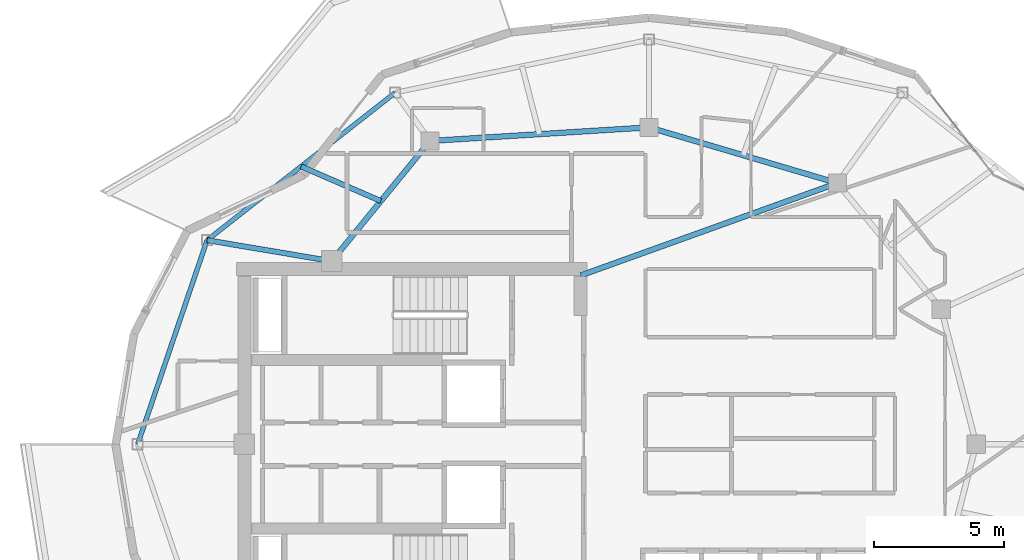
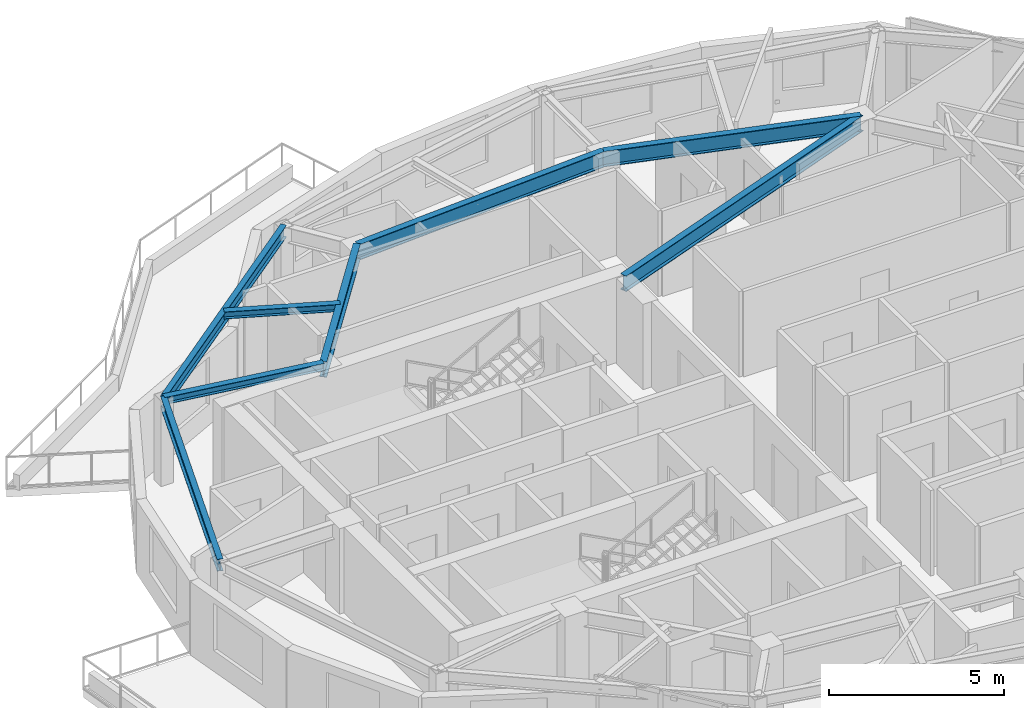
# One storey, part 3 of 15: 8 beams.
"""IFC4 building model written with IfcOpenShell, lengths in metres."""

from ifc_helpers import new_model, si_unit, direction, frame, origin, origin_2d, place, context, subcontext, project, spatial, i_section, extrude, material, material_profile, profile_set, type_object, element, save


model = new_model("IFC4")

# Units and contexts
model_context = context("Model", 3, precision=1e-05, world=origin(), true_north=direction((0.0, 1.0)))
body_context = subcontext(model_context, "Body", "Model", "MODEL_VIEW")
ifc_project = project(units=[si_unit("LENGTHUNIT", "METRE"), si_unit("AREAUNIT", "SQUARE_METRE"), si_unit("VOLUMEUNIT", "CUBIC_METRE"), si_unit("PLANEANGLEUNIT", "RADIAN"), si_unit("MASSUNIT", "GRAM", prefix="KILO")], contexts=[model_context])

# Site, building, storey
site_placement = place(None, origin())
site = spatial("IfcSite", under=ifc_project, at=site_placement, CompositionType="ELEMENT")
building_placement = place(site_placement, origin())
building = spatial("IfcBuilding", under=site, at=building_placement, Name="Kolvaren Gate Tower and Convention Centre", CompositionType="ELEMENT")
storey_placement = place(building_placement, frame((0.0, 0.0, 272.300048828125)))
storey = spatial("IfcBuildingStorey", under=building, at=storey_placement, Name="L74", CompositionType="ELEMENT", Elevation=272.300048828125)

# Beams
ifc_material = material(Name="Structural steel ASTM A992 Grade 345 MPa", Category="steel")
ifc_material_profile_1 = material_profile(ifc_material, i_section(OverallWidth=0.2119140625, OverallDepth=0.5439453125, WebThickness=0.01318359375, FlangeThickness=0.021240234375, at=origin_2d()), Name="W530X123")
ifc_profile_set_1 = profile_set([ifc_material_profile_1], Name="Structural steel ASTM A992 Grade 345 MPa")
beam_type_1 = type_object("IfcBeamType", Name="STR-BM-W530X123", PredefinedType="BEAM", material=ifc_profile_set_1)
beam_1_placement = place(storey_placement, frame((37.381591796875, 37.054931640625, 2.7080078125), z_axis=(-0.958980837827, 0.283470902706, 0.0), x_axis=(-0.283470902706, -0.958980837827, 0.0)))
element("IfcBeam", 1, at=beam_1_placement, inside=storey, type_object=beam_type_1, Name="Tower L74 Primary Ring Girder G-03", PredefinedType="BEAM", context=body_context, shape_type="SweptSolid", body=[
    extrude(i_section(OverallWidth=0.2119140625, OverallDepth=0.5439453125, WebThickness=0.01318359375, FlangeThickness=0.021240234375, at=origin_2d()), origin(), (0.0, 0.0, 1.0), 7.56689453125),
])
beam_2_placement = place(storey_placement, frame((30.125, 39.199951171875, 2.7080078125), z_axis=(-0.998078258568, -0.06196603726, 0.0), x_axis=(0.06196603726, -0.998078258568, 0.0)))
element("IfcBeam", 2, at=beam_2_placement, inside=storey, type_object=beam_type_1, Name="Tower L74 Primary Ring Girder G-04", PredefinedType="BEAM", context=body_context, shape_type="SweptSolid", body=[
    extrude(i_section(OverallWidth=0.2119140625, OverallDepth=0.5439453125, WebThickness=0.01318359375, FlangeThickness=0.021240234375, at=origin_2d()), origin(), (0.0, 0.0, 1.0), 8.443115234375),
])
beam_3_placement = place(storey_placement, frame((21.697998046875, 38.6767578125, 2.7080078125), z_axis=(-0.633082074904, -0.774084676528, 0.0), x_axis=(0.774084676528, -0.633082074904, 0.0)))
element("IfcBeam", 3, at=beam_3_placement, inside=storey, type_object=beam_type_1, Name="Tower L74 Primary Ring Girder G-05", PredefinedType="BEAM", context=body_context, shape_type="SweptSolid", body=[
    extrude(i_section(OverallWidth=0.2119140625, OverallDepth=0.5439453125, WebThickness=0.01318359375, FlangeThickness=0.021240234375, at=origin_2d()), origin(), (0.0, 0.0, 1.0), 5.97705078125),
])
beam_4_placement = place(storey_placement, frame((27.5, 33.5, 2.7080078125), z_axis=(0.940961479908, 0.338513653093, 0.0), x_axis=(-0.338513653093, 0.940961479908, 0.0)))
element("IfcBeam", 4, at=beam_4_placement, inside=storey, type_object=beam_type_1, Name="Tower L74 Primary Ring Girder G-10", PredefinedType="BEAM", context=body_context, shape_type="SweptSolid", body=[
    extrude(i_section(OverallWidth=0.2119140625, OverallDepth=0.5439453125, WebThickness=0.01318359375, FlangeThickness=0.021240234375, at=origin_2d()), origin(), (0.0, 0.0, 1.0), 10.501708984375),
])
ifc_material_profile_2 = material_profile(ifc_material, i_section(OverallWidth=0.202880859375, OverallDepth=0.251953125, WebThickness=0.008056640625, FlangeThickness=0.013427734375, at=origin_2d()), Name="W250X58")
ifc_profile_set_2 = profile_set([ifc_material_profile_2], Name="Structural steel ASTM A992 Grade 345 MPa")
beam_type_2 = type_object("IfcBeamType", Name="STR-JS-W250X58", PredefinedType="JOIST", material=ifc_profile_set_2)
beam_5_placement = place(storey_placement, frame((17.9140625, 34.050048828125, 2.85400390625), z_axis=(-0.986176061403, 0.165700862749, 0.0), x_axis=(-0.165700862749, -0.986176061403, 0.0)))
element("IfcBeam", 5, at=beam_5_placement, inside=storey, type_object=beam_type_2, Name="Tower L74 Radial Floor Girder RB-06", PredefinedType="JOIST", context=body_context, shape_type="SweptSolid", body=[
    extrude(i_section(OverallWidth=0.202880859375, OverallDepth=0.251953125, WebThickness=0.008056640625, FlangeThickness=0.013427734375, at=origin_2d()), origin(), (0.0, 0.0, 1.0), 4.864990234375),
])
beam_6_placement = place(storey_placement, frame((19.805908203125, 36.36328125, 2.85400390625), z_axis=(-0.917285677822, 0.398229814632, 0.0), x_axis=(-0.398229814632, -0.917285677822, 0.0)))
element("IfcBeam", 6, at=beam_6_placement, inside=storey, type_object=beam_type_2, Name="Tower L74 Secondary Composite Floor Joist J-05.1", PredefinedType="JOIST", context=body_context, shape_type="SweptSolid", body=[
    extrude(i_section(OverallWidth=0.202880859375, OverallDepth=0.251953125, WebThickness=0.008056640625, FlangeThickness=0.013427734375, at=origin_2d()), origin(), (0.0, 0.0, 1.0), 3.34619140625),
])
ifc_material_profile_3 = material_profile(ifc_material, i_section(OverallWidth=0.180908203125, OverallDepth=0.4169921875, WebThickness=0.010986328125, FlangeThickness=0.018310546875, at=origin_2d()), Name="W410X85")
ifc_profile_set_3 = profile_set([ifc_material_profile_3], Name="Structural steel ASTM A992 Grade 345 MPa")
beam_type_3 = type_object("IfcBeamType", Name="STR-SP-W410X85", PredefinedType="SPANDREL", material=ifc_profile_set_3)
beam_7_placement = place(storey_placement, frame((20.356689453125, 40.53515625, 2.771484375), z_axis=(-0.786845586039, -0.61714991998, 0.0), x_axis=(0.61714991998, -0.786845586039, 0.0)))
element("IfcBeam", 7, at=beam_7_placement, inside=storey, type_object=beam_type_3, Name="Tower L74 Perimeter Spandrel Beam SP-05", PredefinedType="SPANDREL", context=body_context, shape_type="SweptSolid", body=[
    extrude(i_section(OverallWidth=0.180908203125, OverallDepth=0.4169921875, WebThickness=0.010986328125, FlangeThickness=0.018310546875, at=origin_2d()), origin(), (0.0, 0.0, 1.0), 9.201904296875),
])
beam_8_placement = place(storey_placement, frame((13.1162109375, 34.856201171875, 2.771484375), z_axis=(-0.322038282171, -0.946726647357, 0.0), x_axis=(0.946726647357, -0.322038282171, 0.0)))
element("IfcBeam", 8, at=beam_8_placement, inside=storey, type_object=beam_type_3, Name="Tower L74 Perimeter Spandrel Beam SP-06", PredefinedType="SPANDREL", context=body_context, shape_type="SweptSolid", body=[
    extrude(i_section(OverallWidth=0.180908203125, OverallDepth=0.4169921875, WebThickness=0.010986328125, FlangeThickness=0.018310546875, at=origin_2d()), origin(), (0.0, 0.0, 1.0), 8.29833984375),
])

save(model, "model.ifc")
